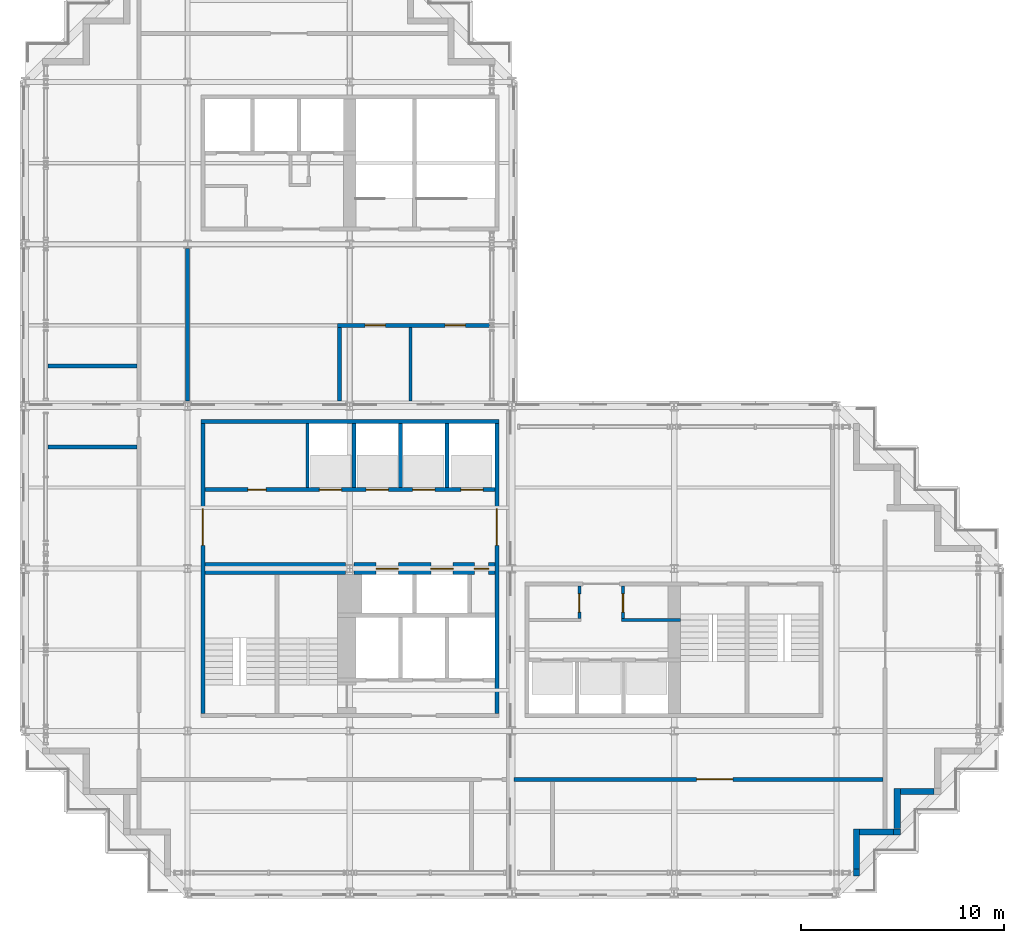
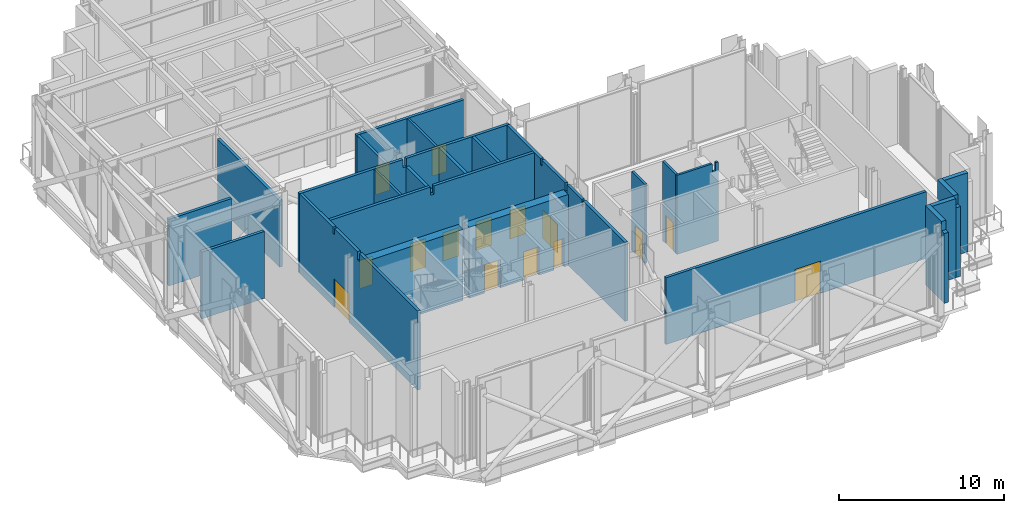
# One storey, part 17 of 23: 26 walls, 15 doors, 15 openings.
"""IFC4 building model written with IfcOpenShell, lengths in metres."""

from ifc_helpers import new_model, si_unit, direction, frame, frame_2d, origin, place, context, subcontext, project, spatial, polyline, rectangle, outline, extrude, material, layer, layer_set, type_object, element, fill, save


model = new_model("IFC4")

# Units and contexts
model_context = context("Model", 3, precision=1e-05, world=origin(), true_north=direction((0.0, 1.0)))
body_context = subcontext(model_context, "Body", "Model", "MODEL_VIEW")
ifc_project = project(units=[si_unit("LENGTHUNIT", "METRE"), si_unit("AREAUNIT", "SQUARE_METRE"), si_unit("VOLUMEUNIT", "CUBIC_METRE"), si_unit("PLANEANGLEUNIT", "RADIAN"), si_unit("MASSUNIT", "GRAM", prefix="KILO")], contexts=[model_context])

# Site, building, storey
site_placement = place(None, origin())
site = spatial("IfcSite", under=ifc_project, at=site_placement, CompositionType="ELEMENT")
building_placement = place(site_placement, origin())
building = spatial("IfcBuilding", under=site, at=building_placement, Name="Immortelle Media Tower", CompositionType="ELEMENT")
storey_placement = place(building_placement, frame((0.0, 0.0, 183.0)))
storey = spatial("IfcBuildingStorey", under=building, at=storey_placement, Name="L38", CompositionType="ELEMENT", Elevation=183.0)

# Wall, openings, doors
ifc_material_1 = material(Name="Fire-rated masonry blockwork", Category="masonry")
ifc_layer_1 = layer(ifc_material_1, 0.60009765625)
ifc_layer_set_1 = layer_set([ifc_layer_1], Name="Fire-rated masonry blockwork")
wall_type_1 = type_object("IfcWallType", Name="Core grid-line wall 600", PredefinedType="PARTITIONING", material=ifc_layer_set_1)
wall_1_placement = place(storey_placement, frame((16.21044921875, 16.0, 0.0), z_axis=(0.0, 0.0, 1.0), x_axis=(1.0, 0.0, 0.0)))
wall_1 = element("IfcWall", 1, at=wall_1_placement, inside=storey, type_object=wall_type_1, Name="Core grid-line wall SW", PredefinedType="PARTITIONING", context=body_context, shape_type="SweptSolid", body=[
    extrude(rectangle(XDim=6.939453125, YDim=0.60009765625, at=frame_2d((3.4697265625, 0.0))), origin(), (0.0, 0.0, 1.0), 5.241943359375),
])
opening_1_placement = place(wall_1_placement, frame((1.089599609375, 0.0, 0.0)))
opening_1 = element("IfcOpeningElement", 2, at=opening_1_placement, cuts=wall_1, Name="Opening LD", PredefinedType="OPENING", context=body_context, shape_type="SweptSolid", body=[
    extrude(rectangle(XDim=1.10009765625, YDim=2.10009765625, at=frame_2d((0.550048828125, 1.050048828125))), frame((0.0, 0.31005859375, 0.0), z_axis=(0.0, -1.0, 0.0), x_axis=(1.0, 0.0, 0.0)), (0.0, 0.0, 1.0), 0.6201171875),
])
opening_2_placement = place(wall_1_placement, frame((3.78955078125, 0.0, 0.0)))
opening_2 = element("IfcOpeningElement", 3, at=opening_2_placement, cuts=wall_1, Name="Opening LD", PredefinedType="OPENING", context=body_context, shape_type="SweptSolid", body=[
    extrude(rectangle(XDim=1.10009765625, YDim=2.10009765625, at=frame_2d((0.550048828125, 1.050048828125))), frame((0.0, 0.31005859375, 0.0), z_axis=(0.0, -1.0, 0.0), x_axis=(1.0, 0.0, 0.0)), (0.0, 0.0, 1.0), 0.6201171875),
])
opening_3_placement = place(wall_1_placement, frame((6.639404296875, 0.0, 0.0), z_axis=(0.0, 0.0, 1.0), x_axis=(-1.0, 0.0, 0.0)))
opening_3 = element("IfcOpeningElement", 4, at=opening_3_placement, cuts=wall_1, Name="Opening L38-K016", PredefinedType="OPENING", context=body_context, shape_type="SweptSolid", body=[
    extrude(rectangle(XDim=0.699951171875, YDim=2.10009765625, at=frame_2d((0.35009765625, 1.050048828125))), frame((0.0, 0.31005859375, 0.0), z_axis=(0.0, -1.0, 0.0), x_axis=(1.0, 0.0, 0.0)), (0.0, 0.0, 1.0), 0.6201171875),
])
ifc_material_2 = material(Name="Stainless steel AISI 304", Category="steel")
door_type_1 = type_object("IfcDoorType", Name="Landing door 1100 x 2100", OperationType="SLIDING_TO_LEFT", PredefinedType="NOTDEFINED", material=ifc_material_2)
door_1_placement = place(opening_1_placement, origin())
door_1 = element("IfcDoor", 5, at=door_1_placement, inside=storey, type_object=door_type_1, Name="Landing door SK1 L38", OperationType="SLIDING_TO_LEFT", OverallHeight=2.10009765625, OverallWidth=1.10009765625, PredefinedType="NOTDEFINED", context=body_context, shape_type="SweptSolid", body=[
    extrude(rectangle(XDim=1.10009765625, YDim=2.10009765625, at=frame_2d((0.550048828125, 1.050048828125))), frame((0.0, 0.02490234375, 0.0), z_axis=(0.0, -1.0, 0.0), x_axis=(1.0, 0.0, 0.0)), (0.0, 0.0, 1.0), 0.050048828125),
])
fill(opening_1, door_1)
door_2_placement = place(opening_2_placement, origin())
door_2 = element("IfcDoor", 6, at=door_2_placement, inside=storey, type_object=door_type_1, Name="Landing door SK2 L38", OperationType="SLIDING_TO_LEFT", OverallHeight=2.10009765625, OverallWidth=1.10009765625, PredefinedType="NOTDEFINED", context=body_context, shape_type="SweptSolid", body=[
    extrude(rectangle(XDim=1.10009765625, YDim=2.10009765625, at=frame_2d((0.550048828125, 1.050048828125))), frame((0.0, 0.02490234375, 0.0), z_axis=(0.0, -1.0, 0.0), x_axis=(1.0, 0.0, 0.0)), (0.0, 0.0, 1.0), 0.050048828125),
])
fill(opening_2, door_2)
ifc_material_3 = material(Name="Galvanised steel door leaf and frame ASTM A653", Category="steel")
door_type_2 = type_object("IfcDoorType", Name="Service door 700 x 2100", OperationType="NOTDEFINED", PredefinedType="NOTDEFINED", material=ifc_material_3)
door_3_placement = place(opening_3_placement, origin())
door_3 = element("IfcDoor", 7, at=door_3_placement, inside=storey, type_object=door_type_2, Name="Service L38-K016", OperationType="SINGLE_SWING_LEFT", OverallHeight=2.10009765625, OverallWidth=0.699951171875, PredefinedType="NOTDEFINED", context=body_context, shape_type="SweptSolid", body=[
    extrude(rectangle(XDim=0.699951171875, YDim=2.10009765625, at=frame_2d((0.35009765625, 1.050048828125))), frame((0.0, 0.02490234375, 0.0), z_axis=(0.0, -1.0, 0.0), x_axis=(1.0, 0.0, 0.0)), (0.0, 0.0, 1.0), 0.050048828125),
])
fill(opening_3, door_3)

# Wall
ifc_material_4 = material(Name="Fire-rated gypsum board", Category="gypsum")
ifc_layer_2 = layer(ifc_material_4, 0.02490234375)
ifc_material_5 = material(Name="Steel ASTM A653 SS Gr 50 stud frame with mineral wool", Category="steel")
ifc_layer_3 = layer(ifc_material_5, 0.10009765625)
ifc_layer_4 = layer(ifc_material_4, 0.02490234375)
ifc_layer_set_2 = layer_set([ifc_layer_2, ifc_layer_3, ifc_layer_4], Name="Steel ASTM A653 SS Gr 50 stud frame with mineral wool")
wall_type_2 = type_object("IfcWallType", Name="Core partition 150", PredefinedType="PARTITIONING", material=ifc_layer_set_2)
wall_2_placement = place(storey_placement, frame((13.925048828125, 20.0, 0.0), z_axis=(0.0, 0.0, 1.0), x_axis=(0.0, 1.0, 0.0)))
element("IfcWall", 8, at=wall_2_placement, inside=storey, type_object=wall_type_2, Name="Core partition SW", PredefinedType="PARTITIONING", context=body_context, shape_type="SweptSolid", body=[
    extrude(rectangle(XDim=3.14990234375, YDim=0.14990234375, at=frame_2d((1.574951171875, 0.0))), origin(), (0.0, 0.0, 1.0), 5.85009765625),
])

# Wall, opening, door
wall_3_placement = place(storey_placement, frame((27.324951171875, 13.550048828125, 0.0), z_axis=(0.0, 0.0, 1.0), x_axis=(0.0, 1.0, 0.0)))
wall_3 = element("IfcWall", 9, at=wall_3_placement, inside=storey, type_object=wall_type_2, Name="Core partition SE", PredefinedType="PARTITIONING", context=body_context, shape_type="SweptSolid", body=[
    extrude(rectangle(XDim=1.599853515625, YDim=0.14990234375, at=frame_2d((0.7998046875, 0.0))), origin(), (0.0, 0.0, 1.0), 5.85009765625),
])
opening_4_placement = place(wall_3_placement, frame((0.300048828125, 0.0, 0.0)))
opening_4 = element("IfcOpeningElement", 10, at=opening_4_placement, cuts=wall_3, Name="Opening L38-K019", PredefinedType="OPENING", context=body_context, shape_type="SweptSolid", body=[
    extrude(rectangle(XDim=0.89990234375, YDim=2.10009765625, at=frame_2d((0.449951171875, 1.050048828125))), frame((0.0, 0.0849609375, 0.0), z_axis=(0.0, -1.0, 0.0), x_axis=(1.0, 0.0, 0.0)), (0.0, 0.0, 1.0), 0.169921875),
])
door_type_3 = type_object("IfcDoorType", Name="Service door 900 x 2100", OperationType="NOTDEFINED", PredefinedType="NOTDEFINED", material=ifc_material_3)
door_4_placement = place(opening_4_placement, origin())
door_4 = element("IfcDoor", 11, at=door_4_placement, inside=storey, type_object=door_type_3, Name="Service L38-K019", OperationType="SINGLE_SWING_RIGHT", OverallHeight=2.10009765625, OverallWidth=0.89990234375, PredefinedType="NOTDEFINED", context=body_context, shape_type="SweptSolid", body=[
    extrude(rectangle(XDim=0.89990234375, YDim=2.10009765625, at=frame_2d((0.449951171875, 1.050048828125))), frame((0.0, 0.02490234375, 0.0), z_axis=(0.0, -1.0, 0.0), x_axis=(1.0, 0.0, 0.0)), (0.0, 0.0, 1.0), 0.050048828125),
])
fill(opening_4, door_4)

# Wall
wall_4_placement = place(storey_placement, frame((29.39990234375, 13.47509765625, 0.0), z_axis=(0.0, 0.0, 1.0), x_axis=(1.0, 0.0, 0.0)))
element("IfcWall", 12, at=wall_4_placement, inside=storey, type_object=wall_type_2, Name="Core partition SE", PredefinedType="PARTITIONING", context=body_context, shape_type="SweptSolid", body=[
    extrude(outline(polyline([(0.0, 0.0), (2.900146484375, 0.0), (2.89990234375, 5.85009765625), (2.718994140625, 5.85009765625), (2.718017578125, 5.241943359375), (2.48193359375, 5.241943359375), (2.48095703125, 5.85009765625), (0.0, 5.85009765625), (0.0, 0.0)])), frame((0.0, 0.074951171875, 0.0), z_axis=(0.0, -1.0, 0.0), x_axis=(1.0, 0.0, 0.0)), (0.0, 0.0, 1.0), 0.14990234375),
])

# Wall, opening, door
wall_5_placement = place(storey_placement, frame((29.47509765625, 13.550048828125, 0.0), z_axis=(0.0, 0.0, 1.0), x_axis=(0.0, 1.0, 0.0)))
wall_5 = element("IfcWall", 13, at=wall_5_placement, inside=storey, type_object=wall_type_2, Name="Core partition SE", PredefinedType="PARTITIONING", context=body_context, shape_type="SweptSolid", body=[
    extrude(rectangle(XDim=1.599853515625, YDim=0.14990234375, at=frame_2d((0.7998046875, 0.0))), origin(), (0.0, 0.0, 1.0), 5.85009765625),
])
opening_5_placement = place(wall_5_placement, frame((1.199951171875, 0.0, 0.0), z_axis=(0.0, 0.0, 1.0), x_axis=(-1.0, 0.0, 0.0)))
opening_5 = element("IfcOpeningElement", 14, at=opening_5_placement, cuts=wall_5, Name="Opening L38-K022", PredefinedType="OPENING", context=body_context, shape_type="SweptSolid", body=[
    extrude(rectangle(XDim=0.89990234375, YDim=2.10009765625, at=frame_2d((0.449951171875, 1.050048828125))), frame((0.0, 0.0849609375, 0.0), z_axis=(0.0, -1.0, 0.0), x_axis=(1.0, 0.0, 0.0)), (0.0, 0.0, 1.0), 0.169921875),
])
ifc_material_6 = material(Name="Timber", Category="wood")
door_type_4 = type_object("IfcDoorType", Name="Room door 900 x 2100", OperationType="NOTDEFINED", PredefinedType="NOTDEFINED", material=ifc_material_6)
door_5_placement = place(opening_5_placement, origin())
door_5 = element("IfcDoor", 15, at=door_5_placement, inside=storey, type_object=door_type_4, Name="Room L38-K022", OperationType="SINGLE_SWING_LEFT", OverallHeight=2.10009765625, OverallWidth=0.89990234375, PredefinedType="NOTDEFINED", context=body_context, shape_type="SweptSolid", body=[
    extrude(rectangle(XDim=0.89990234375, YDim=2.10009765625, at=frame_2d((0.449951171875, 1.050048828125))), frame((0.0, 0.02490234375, 0.0), z_axis=(0.0, -1.0, 0.0), x_axis=(1.0, 0.0, 0.0)), (0.0, 0.0, 1.0), 0.050048828125),
])
fill(opening_5, door_5)

# Wall
ifc_layer_5 = layer(ifc_material_4, 0.03759765625)
ifc_layer_6 = layer(ifc_material_5, 0.125)
ifc_layer_7 = layer(ifc_material_4, 0.03759765625)
ifc_layer_set_3 = layer_set([ifc_layer_5, ifc_layer_6, ifc_layer_7], Name="Steel ASTM A653 SS Gr 50 stud frame with mineral wool")
wall_type_3 = type_object("IfcWallType", Name="Core shaft wall 200", PredefinedType="PARTITIONING", material=ifc_layer_set_3)
wall_6_placement = place(storey_placement, frame((8.64990234375, 23.25, 0.0), z_axis=(0.0, 0.0, 1.0), x_axis=(1.0, 0.0, 0.0)))
element("IfcWall", 16, at=wall_6_placement, inside=storey, type_object=wall_type_3, Name="Core shaft wall SW", PredefinedType="PARTITIONING", context=body_context, shape_type="SweptSolid", body=[
    extrude(outline(polyline([(0.0, 0.0), (14.7001953125, 0.0), (14.699951171875, 5.85009765625), (7.468994140625, 5.85009765625), (7.468017578125, 5.241943359375), (7.23193359375, 5.241943359375), (7.23095703125, 5.85009765625), (0.0, 5.85009765625), (0.0, 0.0)])), frame((0.0, 0.10009765625, 0.0), z_axis=(0.0, -1.0, 0.0), x_axis=(1.0, 0.0, 0.0)), (0.0, 0.0, 1.0), 0.199951171875),
])

# Wall, openings, doors
wall_7_placement = place(storey_placement, frame((8.85009765625, 19.89990234375, 0.0), z_axis=(0.0, 0.0, 1.0), x_axis=(1.0, 0.0, 0.0)))
wall_7 = element("IfcWall", 17, at=wall_7_placement, inside=storey, type_object=wall_type_3, Name="Core shaft wall SW", PredefinedType="PARTITIONING", context=body_context, shape_type="SweptSolid", body=[
    extrude(outline(polyline([(0.0, 0.0), (14.2998046875, 0.0), (14.300048828125, 5.85009765625), (7.26904296875, 5.85009765625), (7.26806640625, 5.241943359375), (7.031982421875, 5.241943359375), (7.031005859375, 5.85009765625), (0.0, 5.85009765625), (0.0, 0.0)])), frame((0.0, 0.10009765625, 0.0), z_axis=(0.0, -1.0, 0.0), x_axis=(1.0, 0.0, 0.0)), (0.0, 0.0, 1.0), 0.199951171875),
])
opening_6_placement = place(wall_7_placement, frame((2.125, 0.0, 0.0)))
opening_6 = element("IfcOpeningElement", 18, at=opening_6_placement, cuts=wall_7, Name="Opening L38-K003", PredefinedType="OPENING", context=body_context, shape_type="SweptSolid", body=[
    extrude(rectangle(XDim=0.89990234375, YDim=2.10009765625, at=frame_2d((0.449951171875, 1.050048828125))), frame((0.0, 0.10986328125, 0.0), z_axis=(0.0, -1.0, 0.0), x_axis=(1.0, 0.0, 0.0)), (0.0, 0.0, 1.0), 0.219970703125),
])
opening_7_placement = place(wall_7_placement, frame((5.64990234375, 0.0, 0.0)))
opening_7 = element("IfcOpeningElement", 19, at=opening_7_placement, cuts=wall_7, Name="Opening LD", PredefinedType="OPENING", context=body_context, shape_type="SweptSolid", body=[
    extrude(rectangle(XDim=1.10009765625, YDim=2.10009765625, at=frame_2d((0.550048828125, 1.050048828125))), frame((0.0, 0.10986328125, 0.0), z_axis=(0.0, -1.0, 0.0), x_axis=(1.0, 0.0, 0.0)), (0.0, 0.0, 1.0), 0.219970703125),
])
opening_8_placement = place(wall_7_placement, frame((7.949951171875, 0.0, 0.0)))
opening_8 = element("IfcOpeningElement", 20, at=opening_8_placement, cuts=wall_7, Name="Opening LD", PredefinedType="OPENING", context=body_context, shape_type="SweptSolid", body=[
    extrude(rectangle(XDim=1.10009765625, YDim=2.10009765625, at=frame_2d((0.550048828125, 1.050048828125))), frame((0.0, 0.10986328125, 0.0), z_axis=(0.0, -1.0, 0.0), x_axis=(1.0, 0.0, 0.0)), (0.0, 0.0, 1.0), 0.219970703125),
])
opening_9_placement = place(wall_7_placement, frame((10.25, 0.0, 0.0)))
opening_9 = element("IfcOpeningElement", 21, at=opening_9_placement, cuts=wall_7, Name="Opening LD", PredefinedType="OPENING", context=body_context, shape_type="SweptSolid", body=[
    extrude(rectangle(XDim=1.10009765625, YDim=2.10009765625, at=frame_2d((0.550048828125, 1.050048828125))), frame((0.0, 0.10986328125, 0.0), z_axis=(0.0, -1.0, 0.0), x_axis=(1.0, 0.0, 0.0)), (0.0, 0.0, 1.0), 0.219970703125),
])
opening_10_placement = place(wall_7_placement, frame((12.625, 0.0, 0.0)))
opening_10 = element("IfcOpeningElement", 22, at=opening_10_placement, cuts=wall_7, Name="Opening LD", PredefinedType="OPENING", context=body_context, shape_type="SweptSolid", body=[
    extrude(rectangle(XDim=1.10009765625, YDim=2.10009765625, at=frame_2d((0.550048828125, 1.050048828125))), frame((0.0, 0.10986328125, 0.0), z_axis=(0.0, -1.0, 0.0), x_axis=(1.0, 0.0, 0.0)), (0.0, 0.0, 1.0), 0.219970703125),
])
door_6_placement = place(opening_7_placement, origin())
door_6 = element("IfcDoor", 23, at=door_6_placement, inside=storey, type_object=door_type_1, Name="Landing door HR1 L38", OperationType="SLIDING_TO_LEFT", OverallHeight=2.10009765625, OverallWidth=1.10009765625, PredefinedType="NOTDEFINED", context=body_context, shape_type="SweptSolid", body=[
    extrude(rectangle(XDim=1.10009765625, YDim=2.10009765625, at=frame_2d((0.550048828125, 1.050048828125))), frame((0.0, 0.02490234375, 0.0), z_axis=(0.0, -1.0, 0.0), x_axis=(1.0, 0.0, 0.0)), (0.0, 0.0, 1.0), 0.050048828125),
])
fill(opening_7, door_6)
door_7_placement = place(opening_8_placement, origin())
door_7 = element("IfcDoor", 24, at=door_7_placement, inside=storey, type_object=door_type_1, Name="Landing door HR2 L38", OperationType="SLIDING_TO_LEFT", OverallHeight=2.10009765625, OverallWidth=1.10009765625, PredefinedType="NOTDEFINED", context=body_context, shape_type="SweptSolid", body=[
    extrude(rectangle(XDim=1.10009765625, YDim=2.10009765625, at=frame_2d((0.550048828125, 1.050048828125))), frame((0.0, 0.02490234375, 0.0), z_axis=(0.0, -1.0, 0.0), x_axis=(1.0, 0.0, 0.0)), (0.0, 0.0, 1.0), 0.050048828125),
])
fill(opening_8, door_7)
door_8_placement = place(opening_9_placement, origin())
door_8 = element("IfcDoor", 25, at=door_8_placement, inside=storey, type_object=door_type_1, Name="Landing door HR3 L38", OperationType="SLIDING_TO_LEFT", OverallHeight=2.10009765625, OverallWidth=1.10009765625, PredefinedType="NOTDEFINED", context=body_context, shape_type="SweptSolid", body=[
    extrude(rectangle(XDim=1.10009765625, YDim=2.10009765625, at=frame_2d((0.550048828125, 1.050048828125))), frame((0.0, 0.02490234375, 0.0), z_axis=(0.0, -1.0, 0.0), x_axis=(1.0, 0.0, 0.0)), (0.0, 0.0, 1.0), 0.050048828125),
])
fill(opening_9, door_8)
door_9_placement = place(opening_10_placement, origin())
door_9 = element("IfcDoor", 26, at=door_9_placement, inside=storey, type_object=door_type_1, Name="Landing door HR4 L38", OperationType="SLIDING_TO_LEFT", OverallHeight=2.10009765625, OverallWidth=1.10009765625, PredefinedType="NOTDEFINED", context=body_context, shape_type="SweptSolid", body=[
    extrude(rectangle(XDim=1.10009765625, YDim=2.10009765625, at=frame_2d((0.550048828125, 1.050048828125))), frame((0.0, 0.02490234375, 0.0), z_axis=(0.0, -1.0, 0.0), x_axis=(1.0, 0.0, 0.0)), (0.0, 0.0, 1.0), 0.050048828125),
])
fill(opening_10, door_9)
door_10_placement = place(opening_6_placement, origin())
door_10 = element("IfcDoor", 27, at=door_10_placement, inside=storey, type_object=door_type_3, Name="Service L38-K003", OperationType="SINGLE_SWING_RIGHT", OverallHeight=2.10009765625, OverallWidth=0.89990234375, PredefinedType="NOTDEFINED", context=body_context, shape_type="SweptSolid", body=[
    extrude(rectangle(XDim=0.89990234375, YDim=2.10009765625, at=frame_2d((0.449951171875, 1.050048828125))), frame((0.0, 0.02490234375, 0.0), z_axis=(0.0, -1.0, 0.0), x_axis=(1.0, 0.0, 0.0)), (0.0, 0.0, 1.0), 0.050048828125),
])
fill(opening_6, door_10)

# Walls
wall_8_placement = place(storey_placement, frame((16.199951171875, 20.0, 0.0), z_axis=(0.0, 0.0, 1.0), x_axis=(0.0, 1.0, 0.0)))
element("IfcWall", 28, at=wall_8_placement, inside=storey, type_object=wall_type_3, Name="Core shaft wall SW", PredefinedType="PARTITIONING", context=body_context, shape_type="SweptSolid", body=[
    extrude(rectangle(XDim=3.14990234375, YDim=0.199951171875, at=frame_2d((1.574951171875, 0.0))), origin(), (0.0, 0.0, 1.0), 5.241943359375),
])
for number, where, z_axis, x_axis, name in (
    (29, (18.5, 20.0, 0.0), (0.0, 0.0, 1.0), (0.0, 1.0, 0.0), "Core shaft wall SW"),
    (30, (20.800048828125, 20.0, 0.0), (0.0, 0.0, 1.0), (0.0, 1.0, 0.0), "Core shaft wall SW"),
):
    element("IfcWall", number, at=place(storey_placement, frame(where, z_axis=z_axis, x_axis=x_axis)), inside=storey, type_object=wall_type_3, Name=name, PredefinedType="PARTITIONING", context=body_context, shape_type="SweptSolid", body=[
        extrude(rectangle(XDim=3.14990234375, YDim=0.199951171875, at=frame_2d((1.574951171875, 0.0))), origin(), (0.0, 0.0, 1.0), 5.85009765625),
    ])

# Wall, opening, door
wall_9_placement = place(storey_placement, frame((23.25, 8.85009765625, 0.0), z_axis=(0.0, 0.0, 1.0), x_axis=(0.0, 1.0, 0.0)))
wall_9 = element("IfcWall", 31, at=wall_9_placement, inside=storey, type_object=wall_type_3, Name="Core shaft wall SW", PredefinedType="PARTITIONING", context=body_context, shape_type="SweptSolid", body=[
    extrude(outline(polyline([(0.0, 0.0), (14.2998046875, 0.0), (14.300048828125, 5.85009765625), (10.2314453125, 5.85009765625), (10.23046875, 5.388916015625), (10.069580078125, 5.388916015625), (10.068603515625, 5.85009765625), (7.26904296875, 5.85009765625), (7.26806640625, 5.241943359375), (7.031982421875, 5.241943359375), (7.031005859375, 5.85009765625), (5.2314453125, 5.85009765625), (5.23046875, 5.388916015625), (5.069580078125, 5.388916015625), (5.068603515625, 5.85009765625), (0.0, 5.85009765625), (0.0, 0.0)])), frame((0.0, 0.10009765625, 0.0), z_axis=(0.0, -1.0, 0.0), x_axis=(1.0, 0.0, 0.0)), (0.0, 0.0, 1.0), 0.199951171875),
])
opening_11_placement = place(wall_9_placement, frame((8.300048828125, 0.0, 0.0)))
opening_11 = element("IfcOpeningElement", 32, at=opening_11_placement, cuts=wall_9, Name="Opening L38-K017", PredefinedType="OPENING", context=body_context, shape_type="SweptSolid", body=[
    extrude(rectangle(XDim=1.800048828125, YDim=2.10009765625, at=frame_2d((0.89990234375, 1.050048828125))), frame((0.0, 0.10986328125, 0.0), z_axis=(0.0, -1.0, 0.0), x_axis=(1.0, 0.0, 0.0)), (0.0, 0.0, 1.0), 0.219970703125),
])
door_type_5 = type_object("IfcDoorType", Name="Lift lobby door 1800 x 2100", OperationType="DOUBLE_DOOR_SINGLE_SWING", PredefinedType="NOTDEFINED", material=ifc_material_3)
door_11_placement = place(opening_11_placement, origin())
door_11 = element("IfcDoor", 33, at=door_11_placement, inside=storey, type_object=door_type_5, Name="Lift lobby L38-K017", OperationType="DOUBLE_DOOR_SINGLE_SWING", OverallHeight=2.10009765625, OverallWidth=1.800048828125, PredefinedType="NOTDEFINED", context=body_context, shape_type="SweptSolid", body=[
    extrude(rectangle(XDim=1.800048828125, YDim=2.10009765625, at=frame_2d((0.89990234375, 1.050048828125))), frame((0.0, 0.02490234375, 0.0), z_axis=(0.0, -1.0, 0.0), x_axis=(1.0, 0.0, 0.0)), (0.0, 0.0, 1.0), 0.050048828125),
])
fill(opening_11, door_11)

# Walls
ifc_layer_8 = layer(ifc_material_4, 0.03759765625)
ifc_layer_9 = layer(ifc_material_5, 0.125)
ifc_layer_10 = layer(ifc_material_4, 0.03759765625)
ifc_layer_set_4 = layer_set([ifc_layer_8, ifc_layer_9, ifc_layer_10], Name="Steel ASTM A653 SS Gr 50 stud frame with mineral wool")
wall_type_4 = type_object("IfcWallType", Name="Fire-resisting wall 200", PredefinedType="PARTITIONING", material=ifc_layer_set_4)
for number, where, z_axis, x_axis, name in (
    (34, (1.10498046875, 22.0, 0.0), (0.0, 0.0, 1.0), (1.0, 0.0, 0.0), "Fire-resisting wall L38-1"),
    (35, (1.10498046875, 26.0, 0.0), (0.0, 0.0, 1.0), (1.0, 0.0, 0.0), "Fire-resisting wall L38-2"),
):
    element("IfcWall", number, at=place(storey_placement, frame(where, z_axis=z_axis, x_axis=x_axis)), inside=storey, type_object=wall_type_4, Name=name, PredefinedType="PARTITIONING", context=body_context, shape_type="SweptSolid", body=[
        extrude(rectangle(XDim=4.39501953125, YDim=0.199951171875, at=frame_2d((2.197509765625, 0.0))), origin(), (0.0, 0.0, 1.0), 4.93603515625),
    ])

# Wall, opening, door
wall_10_placement = place(storey_placement, frame((24.094970703125, 5.60009765625, 0.0), z_axis=(0.0, 0.0, 1.0), x_axis=(1.0, 0.0, 0.0)))
wall_10 = element("IfcWall", 36, at=wall_10_placement, inside=storey, type_object=wall_type_4, Name="Fire-resisting wall L38-4B", PredefinedType="PARTITIONING", context=body_context, shape_type="SweptSolid", body=[
    extrude(rectangle(XDim=18.205078125, YDim=0.199951171875, at=frame_2d((9.1025390625, 0.0))), origin(), (0.0, 0.0, 1.0), 4.93603515625),
])
opening_12_placement = place(wall_10_placement, frame((9.0048828125, 0.0, 0.0)))
opening_12 = element("IfcOpeningElement", 37, at=opening_12_placement, cuts=wall_10, Name="Opening L38-X06", PredefinedType="OPENING", context=body_context, shape_type="SweptSolid", body=[
    extrude(rectangle(XDim=1.800048828125, YDim=2.39990234375, at=frame_2d((0.89990234375, 1.199951171875))), frame((0.0, 0.10986328125, 0.0), z_axis=(0.0, -1.0, 0.0), x_axis=(1.0, 0.0, 0.0)), (0.0, 0.0, 1.0), 0.219970703125),
])
door_type_6 = type_object("IfcDoorType", Name="Fire double door 1800 x 2400", OperationType="DOUBLE_DOOR_SINGLE_SWING", PredefinedType="DOOR", material=ifc_material_3)
door_12_placement = place(opening_12_placement, origin())
door_12 = element("IfcDoor", 38, at=door_12_placement, inside=storey, type_object=door_type_6, Name="Door L38-X06", OperationType="DOUBLE_DOOR_SINGLE_SWING", OverallHeight=2.39990234375, OverallWidth=1.800048828125, PredefinedType="DOOR", context=body_context, shape_type="SweptSolid", body=[
    extrude(rectangle(XDim=1.800048828125, YDim=2.39990234375, at=frame_2d((0.89990234375, 1.199951171875))), frame((0.0, 0.02490234375, 0.0), z_axis=(0.0, -1.0, 0.0), x_axis=(1.0, 0.0, 0.0)), (0.0, 0.0, 1.0), 0.050048828125),
])
fill(opening_12, door_12)

# Wall
wall_11_placement = place(storey_placement, frame((8.0, 24.27099609375, 0.0), z_axis=(0.0, 0.0, 1.0), x_axis=(0.0, 1.0, 0.0)))
element("IfcWall", 39, at=wall_11_placement, inside=storey, type_object=wall_type_4, Name="Fire-resisting wall L38-6", PredefinedType="PARTITIONING", context=body_context, shape_type="SweptSolid", body=[
    extrude(rectangle(XDim=7.52490234375, YDim=0.199951171875, at=frame_2d((3.762451171875, 0.0))), origin(), (0.0, 0.0, 1.0), 4.93603515625),
])

# Wall, openings, doors
wall_12_placement = place(storey_placement, frame((15.39990234375, 28.0, 0.0), z_axis=(0.0, 0.0, 1.0), x_axis=(1.0, 0.0, 0.0)))
wall_12 = element("IfcWall", 40, at=wall_12_placement, inside=storey, type_object=wall_type_4, Name="Fire-resisting wall L38-7", PredefinedType="PARTITIONING", context=body_context, shape_type="SweptSolid", body=[
    extrude(rectangle(XDim=7.4951171875, YDim=0.199951171875, at=frame_2d((3.74755859375, 0.0))), origin(), (0.0, 0.0, 1.0), 4.93603515625),
])
opening_13_placement = place(wall_12_placement, frame((1.35009765625, 0.0, 0.0)))
opening_13 = element("IfcOpeningElement", 41, at=opening_13_placement, cuts=wall_12, Name="Opening L38-X09", PredefinedType="OPENING", context=body_context, shape_type="SweptSolid", body=[
    extrude(rectangle(XDim=1.0, YDim=2.10009765625, at=frame_2d((0.5, 1.050048828125))), frame((0.0, 0.10986328125, 0.0), z_axis=(0.0, -1.0, 0.0), x_axis=(1.0, 0.0, 0.0)), (0.0, 0.0, 1.0), 0.219970703125),
])
opening_14_placement = place(wall_12_placement, frame((5.300048828125, 0.0, 0.0)))
opening_14 = element("IfcOpeningElement", 42, at=opening_14_placement, cuts=wall_12, Name="Opening L38-X10", PredefinedType="OPENING", context=body_context, shape_type="SweptSolid", body=[
    extrude(rectangle(XDim=1.0, YDim=2.10009765625, at=frame_2d((0.5, 1.050048828125))), frame((0.0, 0.10986328125, 0.0), z_axis=(0.0, -1.0, 0.0), x_axis=(1.0, 0.0, 0.0)), (0.0, 0.0, 1.0), 0.219970703125),
])
door_type_7 = type_object("IfcDoorType", Name="Fire door 1000 x 2100", OperationType="NOTDEFINED", PredefinedType="DOOR", material=ifc_material_3)
door_13_placement = place(opening_13_placement, origin())
door_13 = element("IfcDoor", 43, at=door_13_placement, inside=storey, type_object=door_type_7, Name="Door L38-X09", OperationType="SINGLE_SWING_RIGHT", OverallHeight=2.10009765625, OverallWidth=1.0, PredefinedType="DOOR", context=body_context, shape_type="SweptSolid", body=[
    extrude(rectangle(XDim=1.0, YDim=2.10009765625, at=frame_2d((0.5, 1.050048828125))), frame((0.0, 0.02490234375, 0.0), z_axis=(0.0, -1.0, 0.0), x_axis=(1.0, 0.0, 0.0)), (0.0, 0.0, 1.0), 0.050048828125),
])
fill(opening_13, door_13)
door_14_placement = place(opening_14_placement, origin())
door_14 = element("IfcDoor", 44, at=door_14_placement, inside=storey, type_object=door_type_7, Name="Door L38-X10", OperationType="SINGLE_SWING_RIGHT", OverallHeight=2.10009765625, OverallWidth=1.0, PredefinedType="DOOR", context=body_context, shape_type="SweptSolid", body=[
    extrude(rectangle(XDim=1.0, YDim=2.10009765625, at=frame_2d((0.5, 1.050048828125))), frame((0.0, 0.02490234375, 0.0), z_axis=(0.0, -1.0, 0.0), x_axis=(1.0, 0.0, 0.0)), (0.0, 0.0, 1.0), 0.050048828125),
])
fill(opening_14, door_14)

# Walls
wall_13_placement = place(storey_placement, frame((15.5, 24.27099609375, 0.0), z_axis=(0.0, 0.0, 1.0), x_axis=(0.0, 1.0, 0.0)))
element("IfcWall", 45, at=wall_13_placement, inside=storey, type_object=wall_type_4, Name="Fire-resisting wall L38-8", PredefinedType="PARTITIONING", context=body_context, shape_type="SweptSolid", body=[
    extrude(rectangle(XDim=3.62890625, YDim=0.199951171875, at=frame_2d((1.814453125, 0.0))), origin(), (0.0, 0.0, 1.0), 4.93603515625),
])
ifc_material_7 = material(Name="Pale aluminium cladding panel", Category="aluminium")
ifc_layer_11 = layer(ifc_material_7, 0.030029296875)
ifc_layer_12 = layer(ifc_material_5, 0.257568359375)
ifc_material_8 = material(Name="Moisture-resistant gypsum board", Category="gypsum")
ifc_layer_13 = layer(ifc_material_8, 0.012451171875)
ifc_layer_set_5 = layer_set([ifc_layer_11, ifc_layer_12, ifc_layer_13], Name="Steel ASTM A653 SS Gr 50 stud frame with mineral wool")
wall_type_5 = type_object("IfcWallType", Name="Pale metal clad wall 300", PredefinedType="STANDARD", material=ifc_layer_set_5)
wall_14_placement = place(storey_placement, frame((41.0, 0.85009765625, 0.0), z_axis=(0.0, 0.0, 1.0), x_axis=(0.0, 1.0, 0.0)))
element("IfcWall", 46, at=wall_14_placement, inside=storey, type_object=wall_type_5, Name="Plant corner wall L38 E 8-1", PredefinedType="STANDARD", context=body_context, shape_type="SweptSolid", body=[
    extrude(rectangle(XDim=0.33154296875, YDim=0.300048828125, at=frame_2d((0.165771484375, 0.0))), origin(), (0.0, 0.0, 1.0), 5.156494140625),
])
wall_15_placement = place(storey_placement, frame((41.0, 1.181640625, 0.0), z_axis=(0.0, 0.0, 1.0), x_axis=(0.0, 1.0, 0.0)))
element("IfcWall", 47, at=wall_15_placement, inside=storey, type_object=wall_type_5, Name="Plant corner wall L38 E 8-2", PredefinedType="STANDARD", context=body_context, shape_type="SweptSolid", body=[
    extrude(rectangle(XDim=1.96826171875, YDim=0.300048828125, at=frame_2d((0.984130859375, 0.0))), origin(), (0.0, 0.0, 1.0), 5.849609375),
])
wall_16_placement = place(storey_placement, frame((41.14990234375, 3.0, 0.0), z_axis=(0.0, 0.0, 1.0), x_axis=(1.0, 0.0, 0.0)))
element("IfcWall", 48, at=wall_16_placement, inside=storey, type_object=wall_type_5, Name="Plant corner wall L38 S 9-1", PredefinedType="STANDARD", context=body_context, shape_type="SweptSolid", body=[
    extrude(rectangle(XDim=1.66845703125, YDim=0.300048828125, at=frame_2d((0.834228515625, 0.0))), origin(), (0.0, 0.0, 1.0), 5.849609375),
])
wall_17_placement = place(storey_placement, frame((42.818359375, 3.0, 0.0), z_axis=(0.0, 0.0, 1.0), x_axis=(1.0, 0.0, 0.0)))
element("IfcWall", 49, at=wall_17_placement, inside=storey, type_object=wall_type_5, Name="Plant corner wall L38 S 9-2", PredefinedType="STANDARD", context=body_context, shape_type="SweptSolid", body=[
    extrude(rectangle(XDim=0.33154296875, YDim=0.300048828125, at=frame_2d((0.165771484375, 0.0))), origin(), (0.0, 0.0, 1.0), 5.156494140625),
])
wall_18_placement = place(storey_placement, frame((43.0, 3.181640625, 0.0), z_axis=(0.0, 0.0, 1.0), x_axis=(0.0, 1.0, 0.0)))
element("IfcWall", 50, at=wall_18_placement, inside=storey, type_object=wall_type_5, Name="Plant corner wall L38 E 10-2", PredefinedType="STANDARD", context=body_context, shape_type="SweptSolid", body=[
    extrude(rectangle(XDim=1.96826171875, YDim=0.300048828125, at=frame_2d((0.984130859375, 0.0))), origin(), (0.0, 0.0, 1.0), 5.849609375),
])
wall_19_placement = place(storey_placement, frame((43.14990234375, 5.0, 0.0), z_axis=(0.0, 0.0, 1.0), x_axis=(1.0, 0.0, 0.0)))
element("IfcWall", 51, at=wall_19_placement, inside=storey, type_object=wall_type_5, Name="Plant corner wall L38 S 11-1", PredefinedType="STANDARD", context=body_context, shape_type="SweptSolid", body=[
    extrude(rectangle(XDim=1.66845703125, YDim=0.300048828125, at=frame_2d((0.834228515625, 0.0))), origin(), (0.0, 0.0, 1.0), 5.849609375),
])
ifc_material_9 = material(Name="Gypsum board", Category="gypsum")
ifc_layer_14 = layer(ifc_material_9, 0.012451171875)
ifc_layer_15 = layer(ifc_material_5, 0.125)
ifc_layer_16 = layer(ifc_material_9, 0.012451171875)
ifc_layer_set_6 = layer_set([ifc_layer_14, ifc_layer_15, ifc_layer_16], Name="Steel ASTM A653 SS Gr 50 stud frame with mineral wool")
wall_type_6 = type_object("IfcWallType", Name="Partition 150", PredefinedType="PARTITIONING", material=ifc_layer_set_6)
wall_20_placement = place(storey_placement, frame((19.0, 24.27099609375, 0.0), z_axis=(0.0, 0.0, 1.0), x_axis=(0.0, 1.0, 0.0)))
element("IfcWall", 52, at=wall_20_placement, inside=storey, type_object=wall_type_6, Name="Partition L38-9", PredefinedType="PARTITIONING", context=body_context, shape_type="SweptSolid", body=[
    extrude(rectangle(XDim=3.62890625, YDim=0.14990234375, at=frame_2d((1.814453125, 0.0))), origin(), (0.0, 0.0, 1.0), 4.93603515625),
])

# Wall, opening, door
ifc_material_10 = material(Name="Concrete C60", Category="concrete")
ifc_layer_17 = layer(ifc_material_10, 0.199951171875)
ifc_layer_set_7 = layer_set([ifc_layer_17], Name="Concrete C60")
wall_type_7 = type_object("IfcWallType", Name="Stair shaft wall 200", PredefinedType="PARTITIONING", material=ifc_layer_set_7)
wall_21_placement = place(storey_placement, frame((8.75, 8.85009765625, 0.0), z_axis=(0.0, 0.0, 1.0), x_axis=(0.0, 1.0, 0.0)))
wall_21 = element("IfcWall", 53, at=wall_21_placement, inside=storey, type_object=wall_type_7, Name="Stair shaft wall SW", PredefinedType="PARTITIONING", context=body_context, shape_type="SweptSolid", body=[
    extrude(outline(polyline([(0.0, 0.0), (14.2998046875, 0.0), (14.300048828125, 5.85009765625), (10.2314453125, 5.85009765625), (10.23046875, 5.388916015625), (10.069580078125, 5.388916015625), (10.068603515625, 5.85009765625), (7.26904296875, 5.85009765625), (7.26806640625, 5.241943359375), (7.031982421875, 5.241943359375), (7.031005859375, 5.85009765625), (0.0, 5.85009765625), (0.0, 0.0)])), frame((0.0, 0.10009765625, 0.0), z_axis=(0.0, -1.0, 0.0), x_axis=(1.0, 0.0, 0.0)), (0.0, 0.0, 1.0), 0.199951171875),
])
opening_15_placement = place(wall_21_placement, frame((8.300048828125, 0.0, 0.0)))
opening_15 = element("IfcOpeningElement", 54, at=opening_15_placement, cuts=wall_21, Name="Opening L38-K001", PredefinedType="OPENING", context=body_context, shape_type="SweptSolid", body=[
    extrude(rectangle(XDim=1.800048828125, YDim=2.10009765625, at=frame_2d((0.89990234375, 1.050048828125))), frame((0.0, 0.10986328125, 0.0), z_axis=(0.0, -1.0, 0.0), x_axis=(1.0, 0.0, 0.0)), (0.0, 0.0, 1.0), 0.219970703125),
])
door_15_placement = place(opening_15_placement, origin())
door_15 = element("IfcDoor", 55, at=door_15_placement, inside=storey, type_object=door_type_5, Name="Lift lobby L38-K001", OperationType="DOUBLE_DOOR_SINGLE_SWING", OverallHeight=2.10009765625, OverallWidth=1.800048828125, PredefinedType="NOTDEFINED", context=body_context, shape_type="SweptSolid", body=[
    extrude(rectangle(XDim=1.800048828125, YDim=2.10009765625, at=frame_2d((0.89990234375, 1.050048828125))), frame((0.0, 0.02490234375, 0.0), z_axis=(0.0, -1.0, 0.0), x_axis=(1.0, 0.0, 0.0)), (0.0, 0.0, 1.0), 0.050048828125),
])
fill(opening_15, door_15)

# Wall
ifc_layer_18 = layer(ifc_material_10, 0.60009765625)
ifc_layer_set_8 = layer_set([ifc_layer_18], Name="Concrete C60")
wall_type_8 = type_object("IfcWallType", Name="Stair shaft wall 600", PredefinedType="PARTITIONING", material=ifc_layer_set_8)
wall_22_placement = place(storey_placement, frame((8.85009765625, 16.0, 0.0), z_axis=(0.0, 0.0, 1.0), x_axis=(1.0, 0.0, 0.0)))
element("IfcWall", 56, at=wall_22_placement, inside=storey, type_object=wall_type_8, Name="Stair shaft wall SW", PredefinedType="PARTITIONING", context=body_context, shape_type="SweptSolid", body=[
    extrude(rectangle(XDim=6.939453125, YDim=0.60009765625, at=frame_2d((3.4697265625, 0.0))), origin(), (0.0, 0.0, 1.0), 5.241943359375),
])

save(model, "model.ifc")
